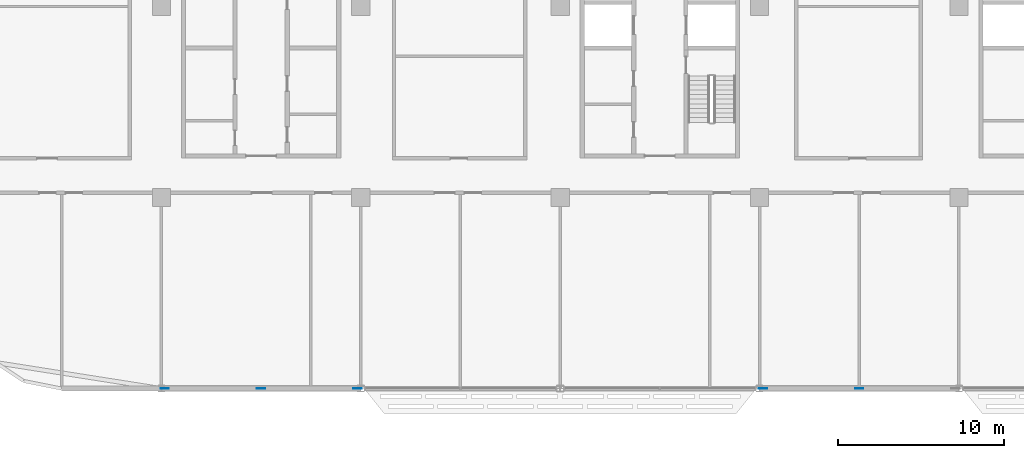
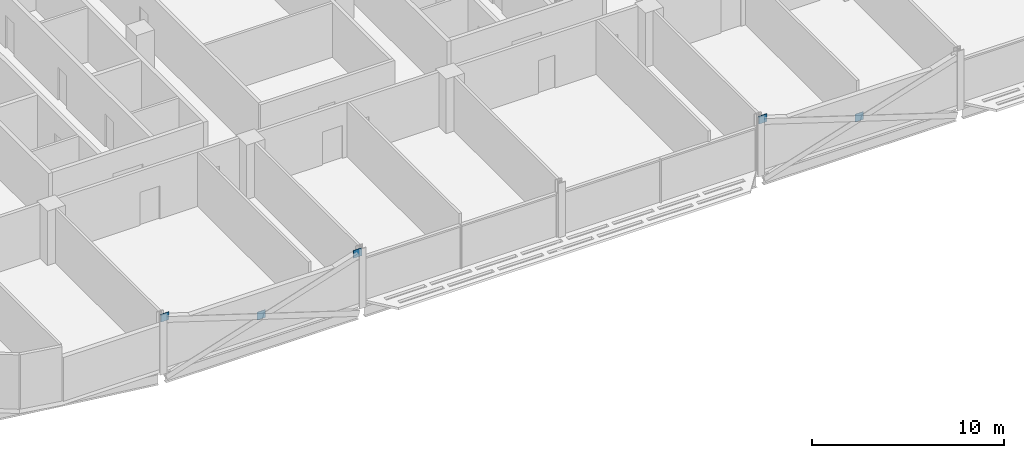
# One storey, part 20 of 30: 5 discrete accessories.
"""IFC4 building model written with IfcOpenShell, lengths in metres."""

from ifc_helpers import new_model, si_unit, direction, frame, origin, origin_2d, place, context, subcontext, project, spatial, rectangle, extrude, material, layer, layer_set, type_object, element, save


model = new_model("IFC4")

# Units and contexts
model_context = context("Model", 3, precision=1e-05, world=origin(), true_north=direction((0.0, 1.0)))
body_context = subcontext(model_context, "Body", "Model", "MODEL_VIEW")
ifc_project = project(units=[si_unit("LENGTHUNIT", "METRE"), si_unit("AREAUNIT", "SQUARE_METRE"), si_unit("VOLUMEUNIT", "CUBIC_METRE"), si_unit("PLANEANGLEUNIT", "RADIAN"), si_unit("MASSUNIT", "GRAM", prefix="KILO")], contexts=[model_context])

# Site, building, storey
site_placement = place(None, origin())
site = spatial("IfcSite", under=ifc_project, at=site_placement, CompositionType="ELEMENT")
building_placement = place(site_placement, origin())
building = spatial("IfcBuilding", under=site, at=building_placement, Name="Mahtab Terrace Research Tower", CompositionType="ELEMENT")
storey_placement = place(building_placement, frame((0.0, 0.0, 205.300048828125)))
storey = spatial("IfcBuildingStorey", under=building, at=storey_placement, Name="L49", CompositionType="ELEMENT", Elevation=205.300048828125)

# Discrete accessories
ifc_material = material(Name="Steel ASTM A992 Gr 50", Category="steel")
ifc_layer = layer(ifc_material, 0.030029296875)
ifc_layer_set = layer_set([ifc_layer], Name="Gusset plate 500x500x30")
discrete_accessory_type = type_object("IfcDiscreteAccessoryType", Name="Gusset plate 500x500x30", PredefinedType="USERDEFINED", material=ifc_layer_set)
for number, where, z_axis, x_axis, name in (
    (1, (-29.79931640625, -23.0, 2.870849609375), (0.0, 0.0, 1.0), (1.0, 0.0, 0.0), "Gusset plate"),
    (2, (-24.0, -23.0, 0.970947265625), (0.0, 0.0, 1.0), (1.0, 0.0, 0.0), "Gusset plate"),
    (3, (-18.20068359375, -23.0, 2.870849609375), (0.0, 0.0, 1.0), (1.0, 0.0, 0.0), "Gusset plate"),
    (4, (6.20068359375, -23.0, 2.870849609375), (0.0, 0.0, 1.0), (1.0, 0.0, 0.0), "Gusset plate"),
    (5, (12.0, -23.0, 0.970947265625), (0.0, 0.0, 1.0), (1.0, 0.0, 0.0), "Gusset plate"),
):
    element("IfcDiscreteAccessory", number, at=place(storey_placement, frame(where, z_axis=z_axis, x_axis=x_axis)), inside=storey, type_object=discrete_accessory_type, Name=name, ObjectType="GUSSET PLATE", PredefinedType="USERDEFINED", context=body_context, shape_type="SweptSolid", body=[
        extrude(rectangle(XDim=0.5, YDim=0.030029296875, at=origin_2d()), origin(), (0.0, 0.0, 1.0), 0.5),
    ])

save(model, "model.ifc")
